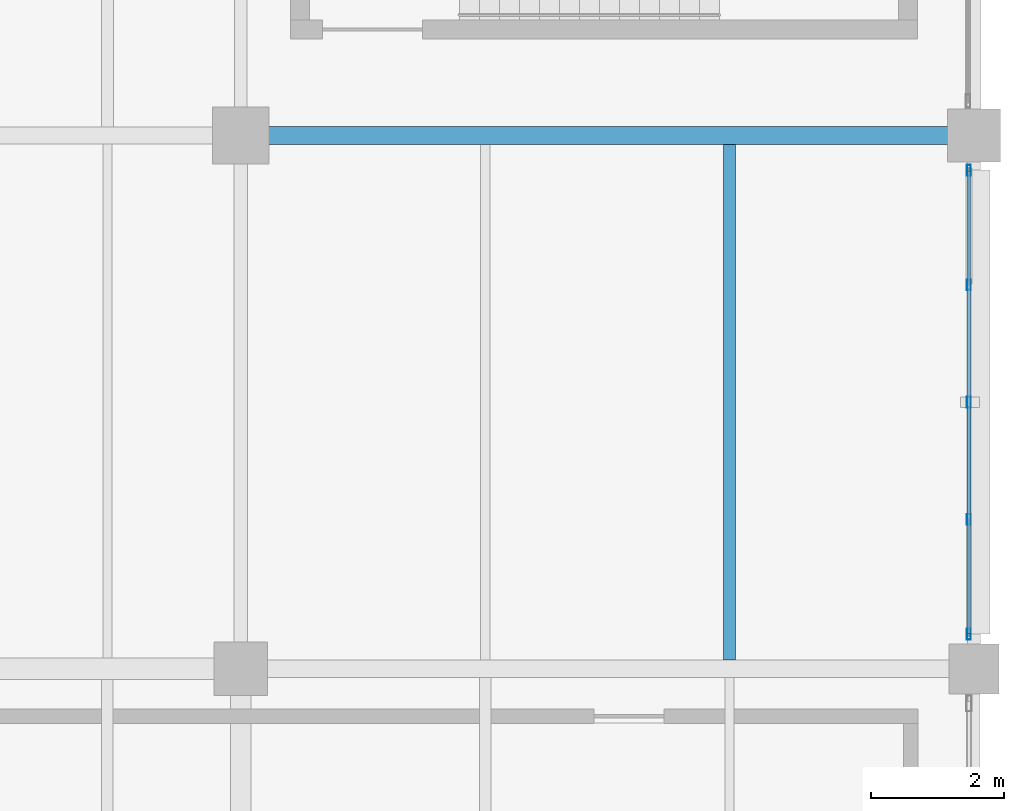
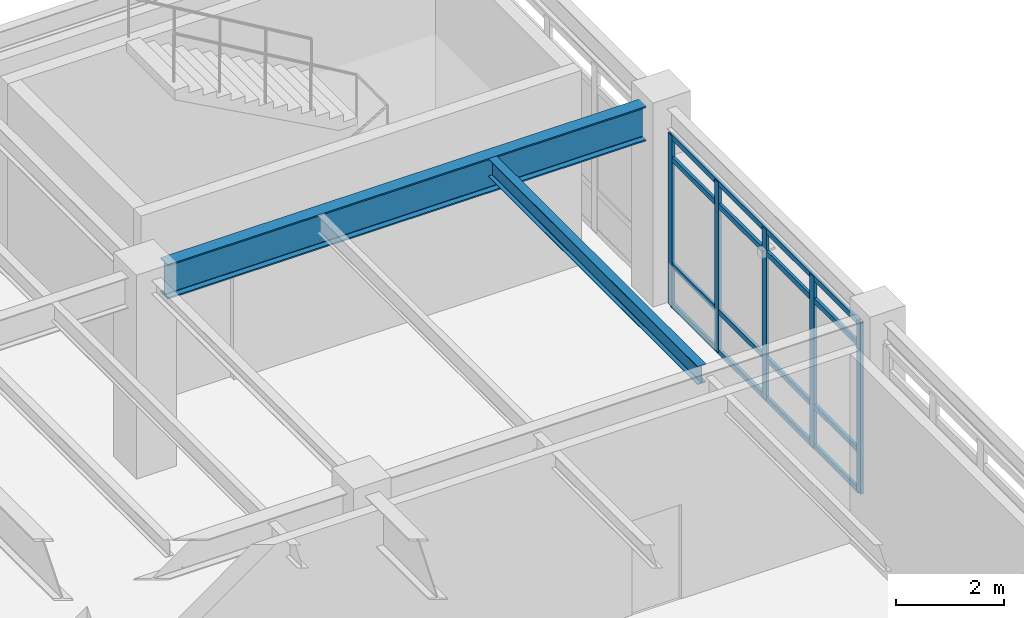
# One storey, part 122 of 168: 9 members, 2 beams, 1 element without a shape of its own.
"""IFC4 building model written with IfcOpenShell, lengths in metres."""

from ifc_helpers import new_model, si_unit, direction, frame, origin, origin_2d, place, context, subcontext, project, spatial, hollow_rectangle, i_section, extrude, material, material_profile, profile_set, type_object, element, aggregate, save


model = new_model("IFC4")

# Units and contexts
model_context = context("Model", 3, precision=1e-05, world=origin(), true_north=direction((0.0, 1.0)))
body_context = subcontext(model_context, "Body", "Model", "MODEL_VIEW")
ifc_project = project(units=[si_unit("LENGTHUNIT", "METRE"), si_unit("AREAUNIT", "SQUARE_METRE"), si_unit("VOLUMEUNIT", "CUBIC_METRE"), si_unit("PLANEANGLEUNIT", "RADIAN"), si_unit("MASSUNIT", "GRAM", prefix="KILO"), si_unit("THERMODYNAMICTEMPERATUREUNIT", "KELVIN"), si_unit("POWERUNIT", "WATT")], contexts=[model_context])

# Site, building, storey
site_placement = place(None, origin())
site = spatial("IfcSite", under=ifc_project, at=site_placement, CompositionType="ELEMENT")
building_placement = place(site_placement, origin())
building = spatial("IfcBuilding", under=site, at=building_placement, Name="Tepalcoro Natatorium and Aquatics Centre", CompositionType="ELEMENT")
storey_placement = place(building_placement, frame((0.0, 0.0, 10.199951171875)))
storey = spatial("IfcBuildingStorey", under=building, at=storey_placement, Name="L02", CompositionType="ELEMENT", Elevation=10.199951171875)

# Beam
ifc_material_1 = material(Name="Steel ASTM A992 Grade 50 (Fy 345 MPa)", Category="steel")
ifc_material_profile_1 = material_profile(ifc_material_1, i_section(OverallWidth=0.26708984375, OverallDepth=0.780029296875, WebThickness=0.01708984375, FlangeThickness=0.030029296875, FilletRadius=0.013916015625, at=origin_2d()), Name="W30X148")
ifc_profile_set_1 = profile_set([ifc_material_profile_1], Name="Steel ASTM A992 Grade 50 (Fy 345 MPa)")
beam_type_1 = type_object("IfcBeamType", Name="BM_W30x148", PredefinedType="BEAM", material=ifc_profile_set_1)
beam_1_placement = place(storey_placement, frame((165.409912109375, 110.0, 3.97509765625), z_axis=(1.0, 0.0, 0.0), x_axis=(0.0, 1.0, 0.0)))
element("IfcBeam", 1, at=beam_1_placement, inside=storey, type_object=beam_type_1, Name="V5 L02 Grid Girder X", PredefinedType="BEAM", context=body_context, shape_type="SweptSolid", body=[
    extrude(i_section(OverallWidth=0.26708984375, OverallDepth=0.780029296875, WebThickness=0.01708984375, FlangeThickness=0.030029296875, FilletRadius=0.013916015625, at=origin_2d()), origin(), (0.0, 0.0, 1.0), 10.205078125),
])

# Curtain wall, members
ifc_material_2 = material(Name="Bronze-Anodised Extruded Aluminium Alloy EN AW-6063 T6", Category="aluminium")
curtain_wall_type = type_object("IfcCurtainWallType", Name="CW_LEAN_T2_EW", PredefinedType="USERDEFINED", material=ifc_material_2)
curtain_wall_placement = place(storey_placement, origin())
curtain_wall = element("IfcCurtainWall", 2, at=curtain_wall_placement, inside=storey, type_object=curtain_wall_type, Name="V5 L02 E Unitised Curtain Wall Bay 3", ObjectType="FACETED SOLAR GLAZING", PredefinedType="USERDEFINED")
ifc_material_profile_2 = material_profile(ifc_material_2, hollow_rectangle(XDim=0.06005859375, YDim=0.159912109375, WallThickness=0.00390625, at=origin_2d()), Name="AL60X160X4")
ifc_profile_set_2 = profile_set([ifc_material_profile_2], Name="Bronze-Anodised Extruded Aluminium Alloy EN AW-6063 T6")
member_type_1 = type_object("IfcMemberType", Name="CW_MUL_60x160", PredefinedType="MULLION", material=ifc_profile_set_2)
member_1_placement = place(storey_placement, frame((175.923828125, 102.52001953125, 0.02001953125), z_axis=(0.0, 0.0, 1.0), x_axis=(1.0, 0.0, 0.0)))
member_1 = element("IfcMember", 3, at=member_1_placement, type_object=member_type_1, Name="CW_LEAN_T2_EW Curtain Wall Mullion", PredefinedType="MULLION", context=body_context, shape_type="SweptSolid", body=[
    extrude(hollow_rectangle(XDim=0.06005859375, YDim=0.159912109375, WallThickness=0.00390625, at=origin_2d()), origin(), (0.0, 0.0, 1.0), 3.85009765625),
])
member_2_placement = place(storey_placement, frame((175.923828125, 104.239990234375, 0.02001953125), z_axis=(0.0, 0.0, 1.0), x_axis=(1.0, 0.0, 0.0)))
member_2 = element("IfcMember", 4, at=member_2_placement, type_object=member_type_1, Name="CW_LEAN_T2_EW Curtain Wall Mullion", PredefinedType="MULLION", context=body_context, shape_type="SweptSolid", body=[
    extrude(hollow_rectangle(XDim=0.06005859375, YDim=0.159912109375, WallThickness=0.00390625, at=origin_2d()), origin(), (0.0, 0.0, 1.0), 3.85009765625),
])
member_3_placement = place(storey_placement, frame((175.923828125, 106.0, 0.02001953125), z_axis=(0.0, 0.0, 1.0), x_axis=(1.0, 0.0, 0.0)))
member_3 = element("IfcMember", 5, at=member_3_placement, type_object=member_type_1, Name="CW_LEAN_T2_EW Curtain Wall Mullion", PredefinedType="MULLION", context=body_context, shape_type="SweptSolid", body=[
    extrude(hollow_rectangle(XDim=0.06005859375, YDim=0.159912109375, WallThickness=0.00390625, at=origin_2d()), origin(), (0.0, 0.0, 1.0), 3.85009765625),
])
member_4_placement = place(storey_placement, frame((175.923828125, 107.760009765625, 0.02001953125), z_axis=(0.0, 0.0, 1.0), x_axis=(1.0, 0.0, 0.0)))
member_4 = element("IfcMember", 6, at=member_4_placement, type_object=member_type_1, Name="CW_LEAN_T2_EW Curtain Wall Mullion", PredefinedType="MULLION", context=body_context, shape_type="SweptSolid", body=[
    extrude(hollow_rectangle(XDim=0.06005859375, YDim=0.159912109375, WallThickness=0.00390625, at=origin_2d()), origin(), (0.0, 0.0, 1.0), 3.85009765625),
])
member_5_placement = place(storey_placement, frame((175.923828125, 109.47998046875, 0.02001953125), z_axis=(0.0, 0.0, 1.0), x_axis=(1.0, 0.0, 0.0)))
member_5 = element("IfcMember", 7, at=member_5_placement, type_object=member_type_1, Name="CW_LEAN_T2_EW Curtain Wall Mullion", PredefinedType="MULLION", context=body_context, shape_type="SweptSolid", body=[
    extrude(hollow_rectangle(XDim=0.06005859375, YDim=0.159912109375, WallThickness=0.00390625, at=origin_2d()), origin(), (0.0, 0.0, 1.0), 3.85009765625),
])
ifc_material_profile_3 = material_profile(ifc_material_2, hollow_rectangle(XDim=0.06005859375, YDim=0.1201171875, WallThickness=0.00390625, at=origin_2d()), Name="AL60X120X4")
ifc_profile_set_3 = profile_set([ifc_material_profile_3], Name="Bronze-Anodised Extruded Aluminium Alloy EN AW-6063 T6")
member_type_2 = type_object("IfcMemberType", Name="CW_TRN_60x120", PredefinedType="USERDEFINED", material=ifc_profile_set_3)
member_6_placement = place(storey_placement, frame((175.923828125, 102.530029296875, 0.050048828125), z_axis=(0.0, 1.0, 0.0), x_axis=(-1.0, 0.0, 0.0)))
member_6 = element("IfcMember", 8, at=member_6_placement, type_object=member_type_2, Name="CW_LEAN_T2_EW Curtain Wall Transom", ObjectType="TRANSOM", PredefinedType="USERDEFINED", context=body_context, shape_type="SweptSolid", body=[
    extrude(hollow_rectangle(XDim=0.06005859375, YDim=0.1201171875, WallThickness=0.00390625, at=origin_2d()), origin(), (0.0, 0.0, 1.0), 6.93994140625),
])
member_7_placement = place(storey_placement, frame((175.923828125, 102.530029296875, 0.949951171875), z_axis=(0.0, 1.0, 0.0), x_axis=(-1.0, 0.0, 0.0)))
member_7 = element("IfcMember", 9, at=member_7_placement, type_object=member_type_2, Name="CW_LEAN_T2_EW Curtain Wall Transom", ObjectType="TRANSOM", PredefinedType="USERDEFINED", context=body_context, shape_type="SweptSolid", body=[
    extrude(hollow_rectangle(XDim=0.06005859375, YDim=0.1201171875, WallThickness=0.00390625, at=origin_2d()), origin(), (0.0, 0.0, 1.0), 6.93994140625),
])
member_8_placement = place(storey_placement, frame((175.923828125, 102.530029296875, 3.340087890625), z_axis=(0.0, 1.0, 0.0), x_axis=(-1.0, 0.0, 0.0)))
member_8 = element("IfcMember", 10, at=member_8_placement, type_object=member_type_2, Name="CW_LEAN_T2_EW Curtain Wall Transom", ObjectType="TRANSOM", PredefinedType="USERDEFINED", context=body_context, shape_type="SweptSolid", body=[
    extrude(hollow_rectangle(XDim=0.06005859375, YDim=0.1201171875, WallThickness=0.00390625, at=origin_2d()), origin(), (0.0, 0.0, 1.0), 6.93994140625),
])
member_9_placement = place(storey_placement, frame((175.923828125, 102.530029296875, 3.840087890625), z_axis=(0.0, 1.0, 0.0), x_axis=(-1.0, 0.0, 0.0)))
member_9 = element("IfcMember", 11, at=member_9_placement, type_object=member_type_2, Name="CW_LEAN_T2_EW Curtain Wall Transom", ObjectType="TRANSOM", PredefinedType="USERDEFINED", context=body_context, shape_type="SweptSolid", body=[
    extrude(hollow_rectangle(XDim=0.06005859375, YDim=0.1201171875, WallThickness=0.00390625, at=origin_2d()), origin(), (0.0, 0.0, 1.0), 6.93994140625),
])
aggregate(curtain_wall, [member_1, member_2, member_3, member_4, member_5, member_6, member_7, member_8, member_9])

# Beam
ifc_material_profile_4 = material_profile(ifc_material_1, i_section(OverallWidth=0.178955078125, OverallDepth=0.409912109375, WebThickness=0.009033203125, FlangeThickness=0.013916015625, FilletRadius=0.013916015625, at=origin_2d()), Name="W16X45")
ifc_profile_set_4 = profile_set([ifc_material_profile_4], Name="Steel ASTM A992 Grade 50 (Fy 345 MPa)")
beam_type_2 = type_object("IfcBeamType", Name="JS_W16x45", PredefinedType="JOIST", material=ifc_profile_set_4)
beam_2_placement = place(storey_placement, frame((172.333251953125, 102.133544921875, 4.16015625), z_axis=(0.0, 1.0, 0.0), x_axis=(-1.0, 0.0, 0.0)))
element("IfcBeam", 12, at=beam_2_placement, inside=storey, type_object=beam_type_2, Name="V5 L02 Floor Joist", PredefinedType="JOIST", context=body_context, shape_type="SweptSolid", body=[
    extrude(i_section(OverallWidth=0.178955078125, OverallDepth=0.409912109375, WebThickness=0.009033203125, FlangeThickness=0.013916015625, FilletRadius=0.013916015625, at=origin_2d()), origin(), (0.0, 0.0, 1.0), 7.73291015625),
])

save(model, "model.ifc")
